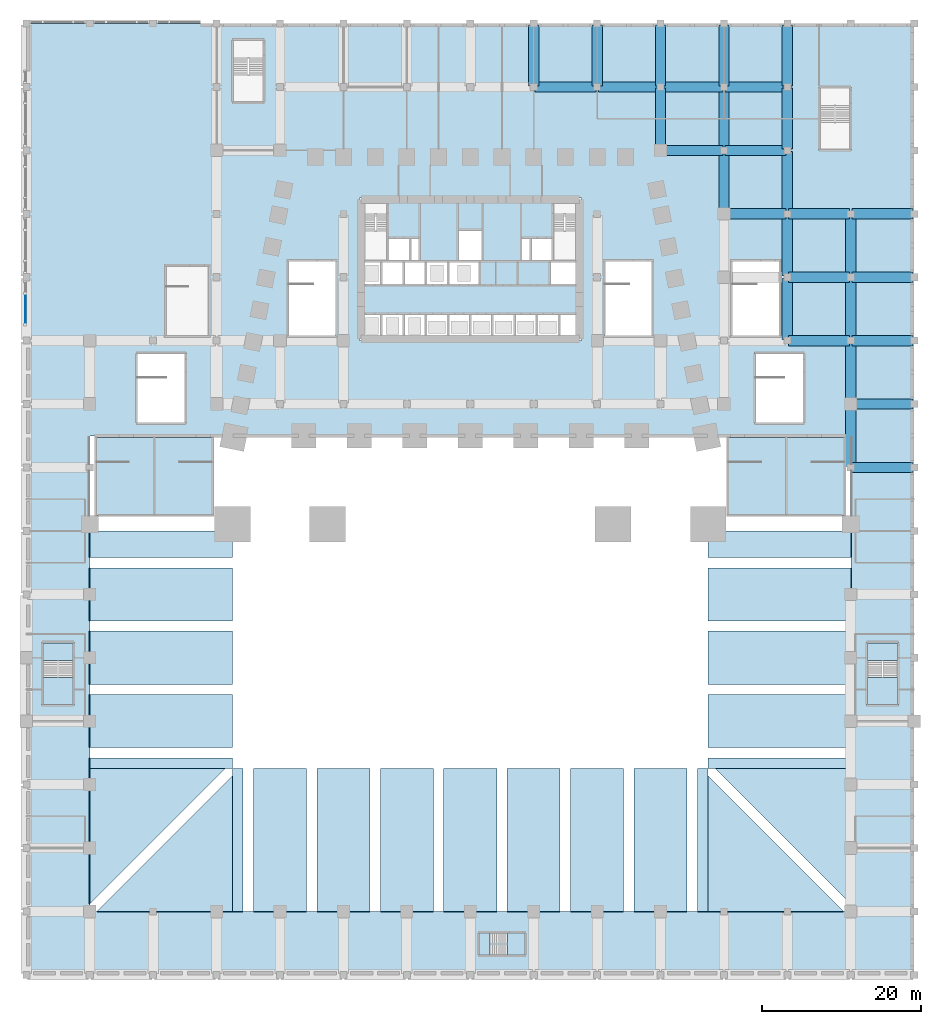
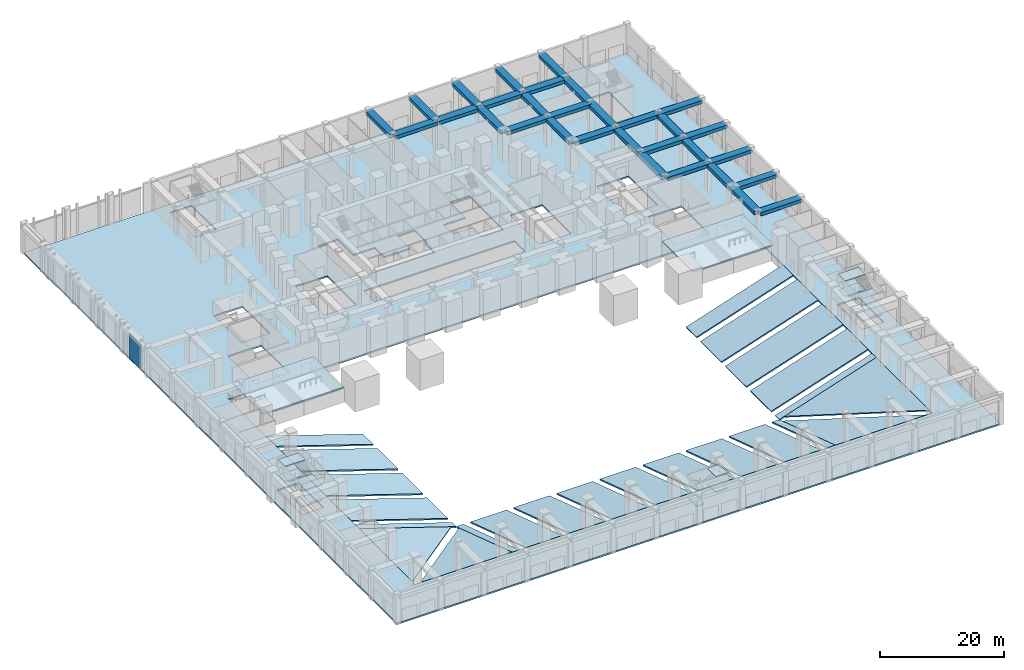
# One storey, part 3 of 28: 38 slabs, 31 beams, 1 plate, 4 elements without a shape of their own.
"""IFC4 building model written with IfcOpenShell, lengths in metres."""

from ifc_helpers import new_model, si_unit, direction, frame, origin, origin_2d, place, context, subcontext, project, spatial, polyline, rectangle, outline, extrude, material, layer, layer_set, material_profile, profile_set, type_object, element, aggregate, save


model = new_model("IFC4")

# Units and contexts
model_context = context("Model", 3, precision=1e-05, world=origin(), true_north=direction((0.0, 1.0)))
body_context = subcontext(model_context, "Body", "Model", "MODEL_VIEW")
ifc_project = project(units=[si_unit("LENGTHUNIT", "METRE"), si_unit("AREAUNIT", "SQUARE_METRE"), si_unit("VOLUMEUNIT", "CUBIC_METRE"), si_unit("PLANEANGLEUNIT", "RADIAN"), si_unit("MASSUNIT", "GRAM", prefix="KILO")], contexts=[model_context])

# Site, building, storey
site_placement = place(None, origin())
site = spatial("IfcSite", under=ifc_project, at=site_placement, CompositionType="ELEMENT")
building_placement = place(site_placement, origin())
building = spatial("IfcBuilding", under=site, at=building_placement, Name="Isbrekke Arena Tower", CompositionType="ELEMENT")
storey_placement = place(building_placement, origin())
storey = spatial("IfcBuildingStorey", under=building, at=storey_placement, Name="L00", CompositionType="ELEMENT", Elevation=0.0)

# Beams
ifc_material_1 = material(Name="Concrete B45 (C45/55)", Category="concrete")
ifc_material_profile = material_profile(ifc_material_1, rectangle(XDim=1.300048828125, YDim=0.64990234375, at=origin_2d()), Name="RC 1300x650")
ifc_profile_set = profile_set([ifc_material_profile], Name="Concrete B45 (C45/55)")
beam_type = type_object("IfcBeamType", Name="PB1 RC 1300 x 650", PredefinedType="BEAM", material=ifc_profile_set)
for number, where, z_axis, x_axis, name in (
    (1, (48.14990234375, -10.0, 5.375), (1.0, 0.0, 0.0), (0.0, 1.0, 0.0), "PB1 podium beam I14 L01"),
    (2, (48.0, -9.85009765625, 5.375), (0.0, 1.0, 0.0), (-1.0, 0.0, 0.0), "PB1 podium beam I14 L01"),
    (3, (48.14990234375, -2.0, 5.375), (1.0, 0.0, 0.0), (0.0, 1.0, 0.0), "PB1 podium beam J14 L01"),
    (4, (48.0, -1.85009765625, 5.375), (0.0, 1.0, 0.0), (-1.0, 0.0, 0.0), "PB1 podium beam J14 L01"),
    (5, (40.14990234375, 6.0, 5.375), (1.0, 0.0, 0.0), (0.0, 1.0, 0.0), "PB1 podium beam K13 L01"),
    (6, (40.0, 6.14990234375, 5.375), (0.0, 1.0, 0.0), (-1.0, 0.0, 0.0), "PB1 podium beam K13 L01"),
    (7, (48.14990234375, 6.0, 5.375), (1.0, 0.0, 0.0), (0.0, 1.0, 0.0), "PB1 podium beam K14 L01"),
    (8, (48.0, 6.14990234375, 5.375), (0.0, 1.0, 0.0), (-1.0, 0.0, 0.0), "PB1 podium beam K14 L01"),
    (9, (40.14990234375, 14.0, 5.375), (1.0, 0.0, 0.0), (0.0, 1.0, 0.0), "PB1 podium beam L13 L01"),
    (10, (40.0, 14.14990234375, 5.375), (0.0, 1.0, 0.0), (-1.0, 0.0, 0.0), "PB1 podium beam L13 L01"),
    (11, (48.14990234375, 14.0, 5.375), (1.0, 0.0, 0.0), (0.0, 1.0, 0.0), "PB1 podium beam L14 L01"),
    (12, (48.0, 14.14990234375, 5.375), (0.0, 1.0, 0.0), (-1.0, 0.0, 0.0), "PB1 podium beam L14 L01"),
    (13, (32.14990234375, 22.0, 5.375), (1.0, 0.0, 0.0), (0.0, 1.0, 0.0), "PB1 podium beam M12 L01"),
    (14, (32.0, 22.14990234375, 5.375), (0.0, 1.0, 0.0), (-1.0, 0.0, 0.0), "PB1 podium beam M12 L01"),
    (15, (40.14990234375, 22.0, 5.375), (1.0, 0.0, 0.0), (0.0, 1.0, 0.0), "PB1 podium beam M13 L01"),
    (16, (40.0, 22.14990234375, 5.375), (0.0, 1.0, 0.0), (-1.0, 0.0, 0.0), "PB1 podium beam M13 L01"),
    (17, (48.14990234375, 22.0, 5.375), (1.0, 0.0, 0.0), (0.0, 1.0, 0.0), "PB1 podium beam M14 L01"),
    (18, (24.14990234375, 30.0, 5.375), (1.0, 0.0, 0.0), (0.0, 1.0, 0.0), "PB1 podium beam N11 L01"),
    (19, (24.0, 30.14990234375, 5.375), (0.0, 1.0, 0.0), (-1.0, 0.0, 0.0), "PB1 podium beam N11 L01"),
    (20, (32.14990234375, 30.0, 5.375), (1.0, 0.0, 0.0), (0.0, 1.0, 0.0), "PB1 podium beam N12 L01"),
    (21, (32.0, 30.14990234375, 5.375), (0.0, 1.0, 0.0), (-1.0, 0.0, 0.0), "PB1 podium beam N12 L01"),
    (22, (40.0, 30.14990234375, 5.375), (0.0, 1.0, 0.0), (-1.0, 0.0, 0.0), "PB1 podium beam N13 L01"),
    (23, (8.14990234375, 38.0, 5.375), (1.0, 0.0, 0.0), (0.0, 1.0, 0.0), "PB1 podium beam O9 L01"),
    (24, (8.0, 38.14990234375, 5.375), (0.0, 1.0, 0.0), (-1.0, 0.0, 0.0), "PB1 podium beam O9 L01"),
    (25, (16.14990234375, 38.0, 5.375), (1.0, 0.0, 0.0), (0.0, 1.0, 0.0), "PB1 podium beam O10 L01"),
    (26, (16.0, 38.14990234375, 5.375), (0.0, 1.0, 0.0), (-1.0, 0.0, 0.0), "PB1 podium beam O10 L01"),
    (27, (24.14990234375, 38.0, 5.375), (1.0, 0.0, 0.0), (0.0, 1.0, 0.0), "PB1 podium beam O11 L01"),
    (28, (24.0, 38.14990234375, 5.375), (0.0, 1.0, 0.0), (-1.0, 0.0, 0.0), "PB1 podium beam O11 L01"),
    (29, (32.14990234375, 38.0, 5.375), (1.0, 0.0, 0.0), (0.0, 1.0, 0.0), "PB1 podium beam O12 L01"),
    (30, (32.0, 38.14990234375, 5.375), (0.0, 1.0, 0.0), (-1.0, 0.0, 0.0), "PB1 podium beam O12 L01"),
    (31, (40.0, 38.14990234375, 5.375), (0.0, 1.0, 0.0), (-1.0, 0.0, 0.0), "PB1 podium beam O13 L01"),
):
    element("IfcBeam", number, at=place(storey_placement, frame(where, z_axis=z_axis, x_axis=x_axis)), inside=storey, type_object=beam_type, Name=name, PredefinedType="BEAM", context=body_context, shape_type="SweptSolid", body=[
        extrude(rectangle(XDim=1.300048828125, YDim=0.64990234375, at=origin_2d()), origin(), (0.0, 0.0, 1.0), 7.7001953125),
    ])

# Curtain wall, plate
ifc_material_2 = material(Name="Glazed aluminium curtain wall", Category="aluminium")
curtain_wall_type = type_object("IfcCurtainWallType", Name="CWP ATRIUM CURTAIN WALL", PredefinedType="USERDEFINED", material=ifc_material_2)
curtain_wall_placement = place(storey_placement, origin())
curtain_wall = element("IfcCurtainWall", 32, at=curtain_wall_placement, inside=storey, type_object=curtain_wall_type, Name="CWP curtain wall L00-PW5", ObjectType="ATRIUM CURTAIN WALL", PredefinedType="USERDEFINED")
ifc_material_3 = material(Name="Triple-glazed clear glass unit", Category="glass")
ifc_layer_1 = layer(ifc_material_3, 0.031982421875)
ifc_layer_set_1 = layer_set([ifc_layer_1], Name="CWP-P VISION PANEL")
plate_type = type_object("IfcPlateType", Name="CWP-P VISION PANEL", PredefinedType="CURTAIN_PANEL", material=ifc_layer_set_1)
plate_placement = place(storey_placement, frame((-56.10009765625, 10.0, 0.02001953125), z_axis=(0.0, 0.0, 1.0), x_axis=(0.0, -1.0, 0.0)))
plate = element("IfcPlate", 33, at=plate_placement, type_object=plate_type, Name="CWP-P panel 2", PredefinedType="CURTAIN_PANEL", context=body_context, shape_type="SweptSolid", body=[
    extrude(rectangle(XDim=3.699951171875, YDim=0.031982421875, at=origin_2d()), origin(), (0.0, 0.0, 1.0), 4.8798828125),
])
aggregate(curtain_wall, [plate])

# Slab
ifc_material_4 = material(Name="Concrete B45 (C45/55)", Category="concrete")
ifc_layer_2 = layer(ifc_material_4, 0.300048828125)
ifc_layer_set_2 = layer_set([ifc_layer_2], Name="PS1 PODIUM FLOOR 300")
slab_type_1 = type_object("IfcSlabType", Name="PS1 PODIUM FLOOR 300", PredefinedType="FLOOR", material=ifc_layer_set_2)
slab_1_placement = place(storey_placement, frame((0.0, 0.0, -0.2998046875)))
element("IfcSlab", 34, at=slab_1_placement, inside=storey, type_object=slab_type_1, Name="PS1 slab L00 part 1", PredefinedType="FLOOR", context=body_context, shape_type="SweptSolid", body=[
    extrude(outline(polyline([(-56.0, -74.0), (56.0, -74.0), (56.0, 46.0), (-56.0, 46.0), (-56.0, -74.0)]), holes=[polyline([(48.0, -66.0), (-48.0, -66.0), (-48.0, -6.0), (48.0, -6.0), (48.0, -66.0)]), polyline([(-50.0, -40.0), (-54.0, -40.0), (-54.0, -32.0), (-50.0, -32.0), (-50.0, -40.0)]), polyline([(50.0, -40.0), (50.0, -32.0), (54.0, -32.0), (54.0, -40.0), (50.0, -40.0)]), polyline([(-42.125, -4.47509765625), (-42.125, 4.47509765625), (-35.875, 4.47509765625), (-35.875, -4.47509765625), (-42.125, -4.47509765625)]), polyline([(35.875, -4.47509765625), (35.875, 4.47509765625), (42.125, 4.47509765625), (42.125, -4.47509765625), (35.875, -4.47509765625)]), polyline([(14.0, 9.39990234375), (14.0, 6.0), (-14.0, 6.0), (-14.0, 9.39990234375), (14.0, 9.39990234375)]), polyline([(-38.35009765625, 6.64990234375), (-38.35009765625, 15.389892578125), (-33.050048828125, 15.389892578125), (-33.050048828125, 6.64990234375), (-38.35009765625, 6.64990234375)]), polyline([(-22.89990234375, 6.64990234375), (-22.89990234375, 15.989990234375), (-17.0, 15.989990234375), (-17.0, 6.64990234375), (-22.89990234375, 6.64990234375)]), polyline([(17.0, 6.64990234375), (17.0, 15.989990234375), (22.89990234375, 15.989990234375), (22.89990234375, 6.64990234375), (17.0, 6.64990234375)]), polyline([(33.050048828125, 6.64990234375), (33.050048828125, 15.989990234375), (38.949951171875, 15.989990234375), (38.949951171875, 6.64990234375), (33.050048828125, 6.64990234375)]), polyline([(1.60009765625, 20.0), (1.60009765625, 16.0), (1.199951171875, 16.0), (1.199951171875, 13.0), (-14.0, 13.0), (-14.0, 24.0), (-10.39990234375, 24.0), (-10.39990234375, 19.0), (-6.39990234375, 19.0), (-6.39990234375, 16.0), (-1.60009765625, 16.0), (-1.60009765625, 20.0), (1.60009765625, 20.0)]), polyline([(10.39990234375, 19.0), (10.39990234375, 24.0), (14.0, 24.0), (14.0, 13.0), (10.0, 13.0), (10.0, 16.0), (6.39990234375, 16.0), (6.39990234375, 19.0), (10.39990234375, 19.0)]), polyline([(44.0, 30.0), (44.0, 38.0), (48.0, 38.0), (48.0, 30.0), (44.0, 30.0)]), polyline([(-30.0, 36.0), (-30.0, 44.0), (-26.0, 44.0), (-26.0, 36.0), (-30.0, 36.0)])]), origin(), (0.0, 0.0, 1.0), 0.2998046875),
])

# Stair, slabs
ifc_material_5 = material(Name="Concrete B45 (C45/55) precast", Category="concrete")
stair_type_1 = type_object("IfcStairType", Name="ST60 STAIR 1800 WIDE, 36 RISERS 167", PredefinedType="HALF_TURN_STAIR", material=ifc_material_5)
stair_1_placement = place(storey_placement, origin())
stair_1 = element("IfcStair", 35, at=stair_1_placement, inside=storey, type_object=stair_type_1, Name="P3 stair L00", PredefinedType="HALF_TURN_STAIR")
ifc_material_6 = material(Name="Concrete B35 (C35/45)", Category="concrete")
ifc_layer_3 = layer(ifc_material_6, 0.199951171875)
ifc_layer_set_3 = layer_set([ifc_layer_3], Name="SL1 STAIR LANDING 200")
slab_type_2 = type_object("IfcSlabType", Name="SL1 STAIR LANDING 200", PredefinedType="LANDING", material=ifc_layer_set_3)
slab_2_placement = place(storey_placement, frame((0.0, 0.0, 1.300048828125)))
slab_2 = element("IfcSlab", 36, at=slab_2_placement, type_object=slab_type_2, Name="P3 landing 1", PredefinedType="LANDING", context=body_context, shape_type="SweptSolid", body=[
    extrude(outline(polyline([(50.125, -39.875), (53.875, -39.875), (53.875, -36.485107421875), (50.125, -36.485107421875), (50.125, -39.875)])), origin(), (0.0, 0.0, 1.0), 0.199951171875),
])
slab_3_placement = place(storey_placement, frame((0.0, 0.0, 2.800048828125)))
slab_3 = element("IfcSlab", 37, at=slab_3_placement, type_object=slab_type_2, Name="P3 landing 2", PredefinedType="LANDING", context=body_context, shape_type="SweptSolid", body=[
    extrude(outline(polyline([(50.125, -34.324951171875), (53.875, -34.324951171875), (53.875, -32.125), (50.125, -32.125), (50.125, -34.324951171875)])), origin(), (0.0, 0.0, 1.0), 0.199951171875),
])
slab_4_placement = place(storey_placement, frame((0.0, 0.0, 4.300048828125)))
slab_4 = element("IfcSlab", 38, at=slab_4_placement, type_object=slab_type_2, Name="P3 landing 3", PredefinedType="LANDING", context=body_context, shape_type="SweptSolid", body=[
    extrude(outline(polyline([(50.125, -39.875), (53.875, -39.875), (53.875, -36.485107421875), (50.125, -36.485107421875), (50.125, -39.875)])), origin(), (0.0, 0.0, 1.0), 0.199951171875),
])
slab_5_placement = place(storey_placement, frame((0.0, 0.0, 5.800048828125)))
slab_5 = element("IfcSlab", 39, at=slab_5_placement, type_object=slab_type_2, Name="P3 landing 4", PredefinedType="LANDING", context=body_context, shape_type="SweptSolid", body=[
    extrude(outline(polyline([(50.125, -34.324951171875), (53.875, -34.324951171875), (53.875, -32.125), (50.125, -32.125), (50.125, -34.324951171875)])), origin(), (0.0, 0.0, 1.0), 0.199951171875),
])
aggregate(stair_1, [slab_2, slab_3, slab_4, slab_5])

stair_2_placement = place(storey_placement, origin())
stair_2 = element("IfcStair", 40, at=stair_2_placement, inside=storey, type_object=stair_type_1, Name="P4 stair L00", PredefinedType="HALF_TURN_STAIR")
slab_6_placement = place(storey_placement, frame((0.0, 0.0, 1.300048828125)))
slab_6 = element("IfcSlab", 41, at=slab_6_placement, type_object=slab_type_2, Name="P4 landing 1", PredefinedType="LANDING", context=body_context, shape_type="SweptSolid", body=[
    extrude(outline(polyline([(-53.875, -39.875), (-50.125, -39.875), (-50.125, -36.485107421875), (-53.875, -36.485107421875), (-53.875, -39.875)])), origin(), (0.0, 0.0, 1.0), 0.199951171875),
])
slab_7_placement = place(storey_placement, frame((0.0, 0.0, 2.800048828125)))
slab_7 = element("IfcSlab", 42, at=slab_7_placement, type_object=slab_type_2, Name="P4 landing 2", PredefinedType="LANDING", context=body_context, shape_type="SweptSolid", body=[
    extrude(outline(polyline([(-53.875, -34.324951171875), (-50.125, -34.324951171875), (-50.125, -32.125), (-53.875, -32.125), (-53.875, -34.324951171875)])), origin(), (0.0, 0.0, 1.0), 0.199951171875),
])
slab_8_placement = place(storey_placement, frame((0.0, 0.0, 4.300048828125)))
slab_8 = element("IfcSlab", 43, at=slab_8_placement, type_object=slab_type_2, Name="P4 landing 3", PredefinedType="LANDING", context=body_context, shape_type="SweptSolid", body=[
    extrude(outline(polyline([(-53.875, -39.875), (-50.125, -39.875), (-50.125, -36.485107421875), (-53.875, -36.485107421875), (-53.875, -39.875)])), origin(), (0.0, 0.0, 1.0), 0.199951171875),
])
slab_9_placement = place(storey_placement, frame((0.0, 0.0, 5.800048828125)))
slab_9 = element("IfcSlab", 44, at=slab_9_placement, type_object=slab_type_2, Name="P4 landing 4", PredefinedType="LANDING", context=body_context, shape_type="SweptSolid", body=[
    extrude(outline(polyline([(-53.875, -34.324951171875), (-50.125, -34.324951171875), (-50.125, -32.125), (-53.875, -32.125), (-53.875, -34.324951171875)])), origin(), (0.0, 0.0, 1.0), 0.199951171875),
])
aggregate(stair_2, [slab_6, slab_7, slab_8, slab_9])

ifc_material_7 = material(Name="Concrete B45 (C45/55) precast", Category="concrete")
stair_type_2 = type_object("IfcStairType", Name="ST60 STAIR 1300 WIDE, 36 RISERS 167", PredefinedType="HALF_TURN_STAIR", material=ifc_material_7)
stair_3_placement = place(storey_placement, origin())
stair_3 = element("IfcStair", 45, at=stair_3_placement, inside=storey, type_object=stair_type_2, Name="P5 stair L00", PredefinedType="HALF_TURN_STAIR")
slab_10_placement = place(storey_placement, frame((0.0, 0.0, 1.300048828125)))
slab_10 = element("IfcSlab", 46, at=slab_10_placement, type_object=slab_type_2, Name="P5 landing 1", PredefinedType="LANDING", context=body_context, shape_type="SweptSolid", body=[
    extrude(outline(polyline([(1.125, -71.47509765625), (2.514892578125, -71.47509765625), (2.514892578125, -68.72509765625), (1.125, -68.72509765625), (1.125, -71.47509765625)])), origin(), (0.0, 0.0, 1.0), 0.199951171875),
])
slab_11_placement = place(storey_placement, frame((0.0, 0.0, 2.800048828125)))
slab_11 = element("IfcSlab", 47, at=slab_11_placement, type_object=slab_type_2, Name="P5 landing 2", PredefinedType="LANDING", context=body_context, shape_type="SweptSolid", body=[
    extrude(outline(polyline([(4.675048828125, -71.47509765625), (6.875, -71.47509765625), (6.875, -68.72509765625), (4.675048828125, -68.72509765625), (4.675048828125, -71.47509765625)])), origin(), (0.0, 0.0, 1.0), 0.199951171875),
])
slab_12_placement = place(storey_placement, frame((0.0, 0.0, 4.300048828125)))
slab_12 = element("IfcSlab", 48, at=slab_12_placement, type_object=slab_type_2, Name="P5 landing 3", PredefinedType="LANDING", context=body_context, shape_type="SweptSolid", body=[
    extrude(outline(polyline([(1.125, -71.47509765625), (2.514892578125, -71.47509765625), (2.514892578125, -68.72509765625), (1.125, -68.72509765625), (1.125, -71.47509765625)])), origin(), (0.0, 0.0, 1.0), 0.199951171875),
])
slab_13_placement = place(storey_placement, frame((0.0, 0.0, 5.800048828125)))
slab_13 = element("IfcSlab", 49, at=slab_13_placement, type_object=slab_type_2, Name="P5 landing 4", PredefinedType="LANDING", context=body_context, shape_type="SweptSolid", body=[
    extrude(outline(polyline([(4.675048828125, -71.47509765625), (6.875, -71.47509765625), (6.875, -68.72509765625), (4.675048828125, -68.72509765625), (4.675048828125, -71.47509765625)])), origin(), (0.0, 0.0, 1.0), 0.199951171875),
])
aggregate(stair_3, [slab_10, slab_11, slab_12, slab_13])

# Slabs
ifc_material_8 = material(Name="Concrete B45 (C45/55)", Category="concrete")
ifc_layer_4 = layer(ifc_material_8, 0.25)
ifc_layer_set_4 = layer_set([ifc_layer_4], Name="SR1 STAIR TOP SLAB 250")
slab_type_3 = type_object("IfcSlabType", Name="SR1 STAIR TOP SLAB 250", PredefinedType="FLOOR", material=ifc_layer_set_4)
slab_14_placement = place(storey_placement, frame((0.0, 0.0, 2.75)))
element("IfcSlab", 50, at=slab_14_placement, inside=storey, type_object=slab_type_3, Name="SR1 exit stair top slab E", PredefinedType="FLOOR", context=body_context, shape_type="SweptSolid", body=[
    extrude(outline(polyline([(32.375, -16.074951171875), (47.375, -16.074951171875), (47.375, -6.199951171875), (32.375, -6.199951171875), (32.375, -16.074951171875)])), origin(), (0.0, 0.0, 1.0), 0.25),
])
slab_15_placement = place(storey_placement, frame((0.0, 0.0, 2.75)))
element("IfcSlab", 51, at=slab_15_placement, inside=storey, type_object=slab_type_3, Name="SR1 exit stair top slab W", PredefinedType="FLOOR", context=body_context, shape_type="SweptSolid", body=[
    extrude(outline(polyline([(-47.375, -16.074951171875), (-32.375, -16.074951171875), (-32.375, -6.199951171875), (-47.375, -6.199951171875), (-47.375, -16.074951171875)])), origin(), (0.0, 0.0, 1.0), 0.25),
])
ifc_material_9 = material(Name="Concrete B45 (C45/55)", Category="concrete")
ifc_layer_5 = layer(ifc_material_9, 0.25)
ifc_layer_set_5 = layer_set([ifc_layer_5], Name="TR1 SEATING TIER 250")
slab_type_4 = type_object("IfcSlabType", Name="TR1 SEATING TIER 250", PredefinedType="FLOOR", material=ifc_layer_set_5)
slab_16_placement = place(storey_placement, frame((30.0, -48.0, -5.89990234375), z_axis=(-0.311467868924, 0.0, 0.9502566846), x_axis=(0.9502566846, 0.0, 0.311467868924)))
element("IfcSlab", 52, at=slab_16_placement, inside=storey, type_object=slab_type_4, Name="TR1 seating tier E1", PredefinedType="FLOOR", context=body_context, shape_type="SweptSolid", body=[
    extrude(outline(polyline([(0.0, 0.0), (18.9422503326766, 0.0), (18.9422503326766, 1.35009765625), (0.0, 1.35009765625), (0.0, 0.0)])), origin(), (0.0, 0.0, -1.0), 0.25),
])
for number, where, z_axis, x_axis, name in (
    (53, (30.0, -45.35009765625, -5.89990234375), (-0.311467868924, 0.0, 0.9502566846), (0.9502566846, 0.0, 0.311467868924), "TR1 seating tier E2"),
    (54, (30.0, -37.35009765625, -5.89990234375), (-0.311467868924, 0.0, 0.9502566846), (0.9502566846, 0.0, 0.311467868924), "TR1 seating tier E3"),
    (55, (30.0, -29.35009765625, -5.89990234375), (-0.311467868924, 0.0, 0.9502566846), (0.9502566846, 0.0, 0.311467868924), "TR1 seating tier E4"),
):
    element("IfcSlab", number, at=place(storey_placement, frame(where, z_axis=z_axis, x_axis=x_axis)), inside=storey, type_object=slab_type_4, Name=name, PredefinedType="FLOOR", context=body_context, shape_type="SweptSolid", body=[
        extrude(outline(polyline([(0.0, 0.0), (18.9422503326766, 0.0), (18.9422503326766, 6.7001953125), (0.0, 6.7001953125), (0.0, 0.0)])), origin(), (0.0, 0.0, -1.0), 0.25),
    ])
slab_17_placement = place(storey_placement, frame((30.0, -21.35009765625, -5.89990234375), z_axis=(-0.311467868924, 0.0, 0.9502566846), x_axis=(0.9502566846, 0.0, 0.311467868924)))
element("IfcSlab", 56, at=slab_17_placement, inside=storey, type_object=slab_type_4, Name="TR1 seating tier E5", PredefinedType="FLOOR", context=body_context, shape_type="SweptSolid", body=[
    extrude(outline(polyline([(0.0, 0.0), (18.9422503326766, 0.0), (18.9422503326766, 3.35009765625), (0.0, 3.35009765625), (0.0, 0.0)])), origin(), (0.0, 0.0, -1.0), 0.25),
])
slab_18_placement = place(storey_placement, frame((-30.0, -46.64990234375, -5.89990234375), z_axis=(0.311467868924, 0.0, 0.9502566846), x_axis=(-0.9502566846, 0.0, 0.311467868924)))
element("IfcSlab", 57, at=slab_18_placement, inside=storey, type_object=slab_type_4, Name="TR1 seating tier W1", PredefinedType="FLOOR", context=body_context, shape_type="SweptSolid", body=[
    extrude(outline(polyline([(0.0, 0.0), (18.9422503326766, 0.0), (18.9422503326766, 1.35009765625), (0.0, 1.35009765625), (0.0, 0.0)])), origin(), (0.0, 0.0, -1.0), 0.25),
])
for number, where, z_axis, x_axis, name in (
    (58, (-30.0, -38.64990234375, -5.89990234375), (0.311467868924, 0.0, 0.9502566846), (-0.9502566846, 0.0, 0.311467868924), "TR1 seating tier W2"),
    (59, (-30.0, -30.64990234375, -5.89990234375), (0.311467868924, 0.0, 0.9502566846), (-0.9502566846, 0.0, 0.311467868924), "TR1 seating tier W3"),
    (60, (-30.0, -22.64990234375, -5.89990234375), (0.311467868924, 0.0, 0.9502566846), (-0.9502566846, 0.0, 0.311467868924), "TR1 seating tier W4"),
):
    element("IfcSlab", number, at=place(storey_placement, frame(where, z_axis=z_axis, x_axis=x_axis)), inside=storey, type_object=slab_type_4, Name=name, PredefinedType="FLOOR", context=body_context, shape_type="SweptSolid", body=[
        extrude(outline(polyline([(0.0, 0.0), (18.9422503326766, 0.0), (18.9422503326766, 6.7001953125), (0.0, 6.7001953125), (0.0, 0.0)])), origin(), (0.0, 0.0, -1.0), 0.25),
    ])
slab_19_placement = place(storey_placement, frame((-30.0, -18.0, -5.89990234375), z_axis=(0.311467868924, 0.0, 0.9502566846), x_axis=(-0.9502566846, 0.0, 0.311467868924)))
element("IfcSlab", 61, at=slab_19_placement, inside=storey, type_object=slab_type_4, Name="TR1 seating tier W5", PredefinedType="FLOOR", context=body_context, shape_type="SweptSolid", body=[
    extrude(outline(polyline([(0.0, 0.0), (18.9422503326766, 0.0), (18.9422503326766, 3.35009765625), (0.0, 3.35009765625), (0.0, 0.0)])), origin(), (0.0, 0.0, -1.0), 0.25),
])
slab_20_placement = place(storey_placement, frame((-28.64990234375, -48.0, -5.89990234375), z_axis=(0.0, 0.311467868924, 0.9502566846), x_axis=(0.0, -0.9502566846, 0.311467868924)))
element("IfcSlab", 62, at=slab_20_placement, inside=storey, type_object=slab_type_4, Name="TR1 seating tier S1", PredefinedType="FLOOR", context=body_context, shape_type="SweptSolid", body=[
    extrude(outline(polyline([(0.0, 0.0), (18.9422503326766, 0.0), (18.9422503326766, -1.35009765625), (0.0, -1.35009765625), (0.0, 0.0)])), origin(), (0.0, 0.0, -1.0), 0.25),
])
for number, where, z_axis, x_axis, name in (
    (63, (-20.64990234375, -48.0, -5.89990234375), (0.0, 0.311467868924, 0.9502566846), (0.0, -0.9502566846, 0.311467868924), "TR1 seating tier S2"),
    (64, (-12.64990234375, -48.0, -5.89990234375), (0.0, 0.311467868924, 0.9502566846), (0.0, -0.9502566846, 0.311467868924), "TR1 seating tier S3"),
    (65, (-4.64990234375, -48.0, -5.89990234375), (0.0, 0.311467868924, 0.9502566846), (0.0, -0.9502566846, 0.311467868924), "TR1 seating tier S4"),
    (66, (3.35009765625, -48.0, -5.89990234375), (0.0, 0.311467868924, 0.9502566846), (0.0, -0.9502566846, 0.311467868924), "TR1 seating tier S5"),
    (67, (11.35009765625, -48.0, -5.89990234375), (0.0, 0.311467868924, 0.9502566846), (0.0, -0.9502566846, 0.311467868924), "TR1 seating tier S6"),
    (68, (19.35009765625, -48.0, -5.89990234375), (0.0, 0.311467868924, 0.9502566846), (0.0, -0.9502566846, 0.311467868924), "TR1 seating tier S7"),
    (69, (27.35009765625, -48.0, -5.89990234375), (0.0, 0.311467868924, 0.9502566846), (0.0, -0.9502566846, 0.311467868924), "TR1 seating tier S8"),
):
    element("IfcSlab", number, at=place(storey_placement, frame(where, z_axis=z_axis, x_axis=x_axis)), inside=storey, type_object=slab_type_4, Name=name, PredefinedType="FLOOR", context=body_context, shape_type="SweptSolid", body=[
        extrude(outline(polyline([(0.0, 0.0), (18.9422503326766, 0.0), (18.9422503326766, -6.7001953125), (0.0, -6.7001953125), (0.0, 0.0)])), origin(), (0.0, 0.0, -1.0), 0.25),
    ])
slab_21_placement = place(storey_placement, frame((30.0, -48.0, -5.89990234375), z_axis=(0.0, 0.311467868924, 0.9502566846), x_axis=(0.0, -0.9502566846, 0.311467868924)))
element("IfcSlab", 70, at=slab_21_placement, inside=storey, type_object=slab_type_4, Name="TR1 seating tier S9", PredefinedType="FLOOR", context=body_context, shape_type="SweptSolid", body=[
    extrude(outline(polyline([(0.0, 0.0), (18.9422503326766, 0.0), (18.9422503326766, -1.35009765625), (0.0, -1.35009765625), (0.0, 0.0)])), origin(), (0.0, 0.0, -1.0), 0.25),
])
slab_22_placement = place(storey_placement, frame((48.0, -48.0, 0.0), z_axis=(-0.311468640454, 0.0, 0.950256431714), x_axis=(0.0, -1.0, 0.0)))
element("IfcSlab", 71, at=slab_22_placement, inside=storey, type_object=slab_type_4, Name="TR1 seating tier SE1", PredefinedType="FLOOR", context=body_context, shape_type="SweptSolid", body=[
    extrude(outline(polyline([(0.0, 0.0), (17.080810546875, 0.0), (0.0, -17.974948631566036), (0.0, 0.0)])), origin(), (0.0, 0.0, -1.0), 0.25),
])
slab_23_placement = place(storey_placement, frame((30.0, -66.0, 0.0), z_axis=(0.0, 0.311468640454, 0.950256431714), x_axis=(1.0, 0.0, 0.0)))
element("IfcSlab", 72, at=slab_23_placement, inside=storey, type_object=slab_type_4, Name="TR1 seating tier SE2", PredefinedType="FLOOR", context=body_context, shape_type="SweptSolid", body=[
    extrude(outline(polyline([(0.0, 0.0), (17.080810546875, 0.0), (0.0, 17.974948631566036), (0.0, 0.0)])), origin(), (0.0, 0.0, -1.0), 0.25),
])
slab_24_placement = place(storey_placement, frame((-30.919189453125, -48.0, -5.5986328125), z_axis=(0.311468640454, 0.0, 0.950256431714), x_axis=(-0.950256431714, 0.0, 0.311468640454)))
element("IfcSlab", 73, at=slab_24_placement, inside=storey, type_object=slab_type_4, Name="TR1 seating tier SW1", PredefinedType="FLOOR", context=body_context, shape_type="SweptSolid", body=[
    extrude(outline(polyline([(0.0, 0.0), (17.974948631566043, 0.0), (17.974948631566043, 17.080810546875), (0.0, 0.0)])), origin(), (0.0, 0.0, -1.0), 0.25),
])
slab_25_placement = place(storey_placement, frame((-30.0, -48.919189453125, -5.5986328125), z_axis=(0.0, 0.311468640454, 0.950256431714), x_axis=(-0.688847163436, -0.688847163436, 0.225785674598)))
element("IfcSlab", 74, at=slab_25_placement, inside=storey, type_object=slab_type_4, Name="TR1 seating tier SW2", PredefinedType="FLOOR", context=body_context, shape_type="SweptSolid", body=[
    extrude(outline(polyline([(0.0, 0.0), (24.79622687518555, 6.661338147750939e-16), (13.030158980791311, 12.38199237775332), (0.0, 0.0)])), origin(), (0.0, 0.0, -1.0), 0.25),
])

save(model, "model.ifc")
